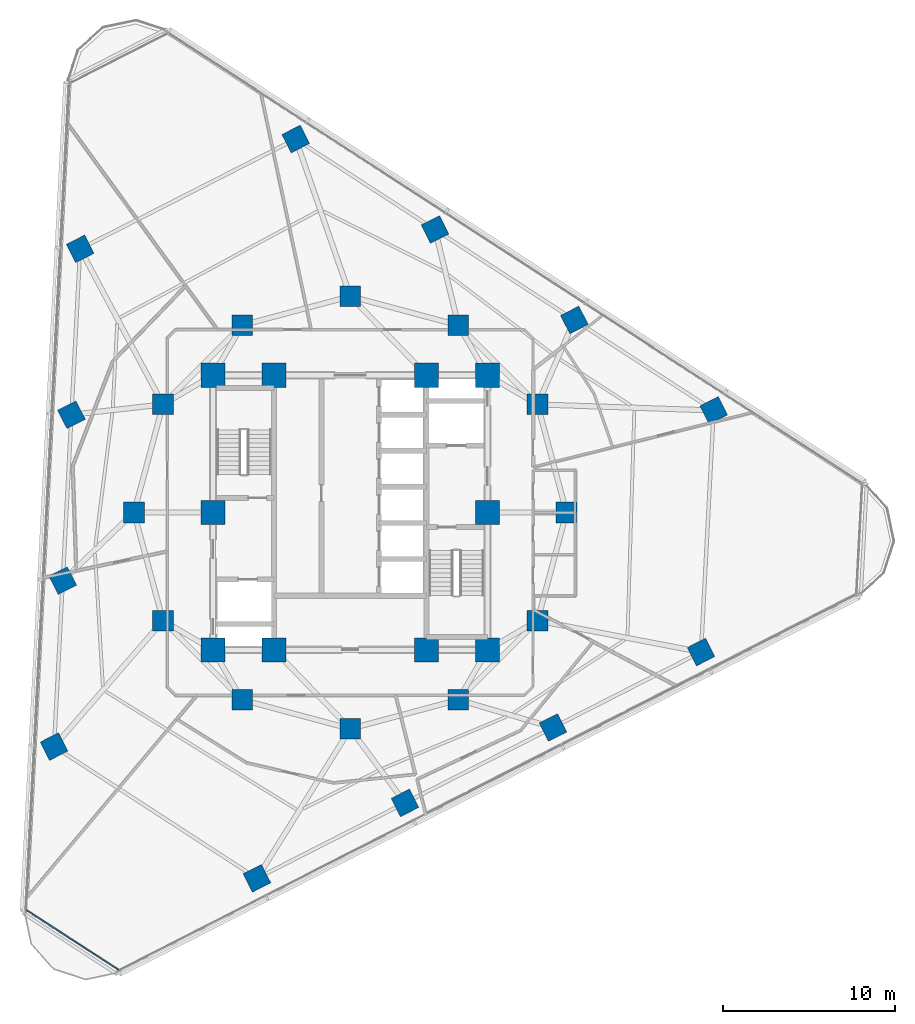
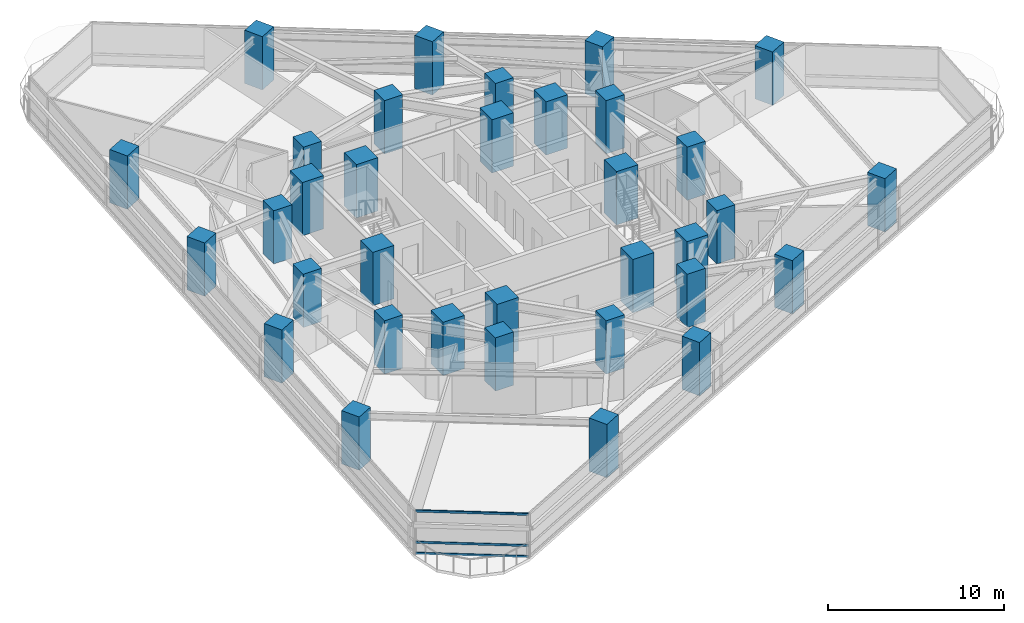
# One storey, part 1 of 14: 34 columns, 3 members, 1 element without a shape of its own.
"""IFC4 building model written with IfcOpenShell, lengths in metres."""

from ifc_helpers import new_model, si_unit, direction, frame, origin, origin_2d, place, context, subcontext, project, spatial, rectangle, extrude, material, layer, layer_set, material_profile, profile_set, type_object, element, aggregate, save


model = new_model("IFC4")

# Units and contexts
model_context = context("Model", 3, precision=1e-05, world=origin(), true_north=direction((0.0, 1.0)))
body_context = subcontext(model_context, "Body", "Model", "MODEL_VIEW")
ifc_project = project(units=[si_unit("LENGTHUNIT", "METRE"), si_unit("AREAUNIT", "SQUARE_METRE"), si_unit("VOLUMEUNIT", "CUBIC_METRE"), si_unit("PLANEANGLEUNIT", "RADIAN"), si_unit("MASSUNIT", "GRAM", prefix="KILO")], contexts=[model_context])

# Site, building, storey
site_placement = place(None, origin())
site = spatial("IfcSite", under=ifc_project, at=site_placement, CompositionType="ELEMENT")
building_placement = place(site_placement, origin())
building = spatial("IfcBuilding", under=site, at=building_placement, Name="Terralouvre Media Tower", CompositionType="ELEMENT")
storey_placement = place(building_placement, frame((0.0, 0.0, 119.89990234375)))
storey = spatial("IfcBuildingStorey", under=building, at=storey_placement, Name="L30", CompositionType="ELEMENT", Elevation=119.89990234375)

# Columns
ifc_material_1 = material(Name="Concrete C60/75", Category="concrete")
ifc_material_profile_1 = material_profile(ifc_material_1, rectangle(XDim=1.199951171875, YDim=1.199951171875, at=origin_2d()), Name="RC 1200x1200")
ifc_profile_set_1 = profile_set([ifc_material_profile_1], Name="Concrete C60/75")
column_type_1 = type_object("IfcColumnType", Name="Structural Column C-RC1200 (RC 1200x1200)", PredefinedType="COLUMN", material=ifc_profile_set_1)
for number, where, z_axis, x_axis, name in (
    (1, (12.60009765625, 0.0, 0.0), (0.0, 0.0, 1.0), (1.0, 0.0, 0.0), "L30 Mega-Frame Column MC01"),
    (2, (10.911865234375, 6.300048828125, 0.0), (0.0, 0.0, 1.0), (1.0, 0.0, 0.0), "L30 Mega-Frame Column MC02"),
    (3, (6.300048828125, 10.911865234375, 0.0), (0.0, 0.0, 1.0), (1.0, 0.0, 0.0), "L30 Mega-Frame Column MC03"),
    (4, (0.0, 12.60009765625, 0.0), (0.0, 0.0, 1.0), (1.0, 0.0, 0.0), "L30 Mega-Frame Column MC04"),
    (5, (-6.300048828125, 10.911865234375, 0.0), (0.0, 0.0, 1.0), (1.0, 0.0, 0.0), "L30 Mega-Frame Column MC05"),
    (6, (-10.911865234375, 6.300048828125, 0.0), (0.0, 0.0, 1.0), (1.0, 0.0, 0.0), "L30 Mega-Frame Column MC06"),
    (7, (-12.60009765625, 0.0, 0.0), (0.0, 0.0, 1.0), (1.0, 0.0, 0.0), "L30 Mega-Frame Column MC07"),
    (8, (-10.911865234375, -6.300048828125, 0.0), (0.0, 0.0, 1.0), (1.0, 0.0, 0.0), "L30 Mega-Frame Column MC08"),
    (9, (-6.300048828125, -10.911865234375, 0.0), (0.0, 0.0, 1.0), (1.0, 0.0, 0.0), "L30 Mega-Frame Column MC09"),
    (10, (0.0, -12.60009765625, 0.0), (0.0, 0.0, 1.0), (1.0, 0.0, 0.0), "L30 Mega-Frame Column MC10"),
    (11, (6.300048828125, -10.911865234375, 0.0), (0.0, 0.0, 1.0), (1.0, 0.0, 0.0), "L30 Mega-Frame Column MC11"),
    (12, (10.911865234375, -6.300048828125, 0.0), (0.0, 0.0, 1.0), (1.0, 0.0, 0.0), "L30 Mega-Frame Column MC12"),
    (13, (-5.4365234375, -21.31298828125, 0.0), (0.0, 0.0, 1.0), (0.891006524188, 0.45399049974, 0.0), "L30 Perimeter Mega-Column PC11"),
    (14, (3.188232421875, -16.91845703125, 0.0), (0.0, 0.0, 1.0), (0.891006524188, 0.45399049974, 0.0), "L30 Perimeter Mega-Column PC12"),
    (15, (11.813232421875, -12.523681640625, 0.0), (0.0, 0.0, 1.0), (0.891006524188, 0.45399049974, 0.0), "L30 Perimeter Mega-Column PC13"),
    (16, (20.438232421875, -8.129150390625, 0.0), (0.0, 0.0, 1.0), (0.891006524188, 0.45399049974, 0.0), "L30 Perimeter Mega-Column PC14"),
    (17, (21.176025390625, 5.9482421875, 0.0), (0.0, 0.0, 1.0), (0.891006524188, 0.45399049974, 0.0), "L30 Perimeter Mega-Column PC21"),
    (18, (13.0576171875, 11.220458984375, 0.0), (0.0, 0.0, 1.0), (0.891006524188, 0.45399049974, 0.0), "L30 Perimeter Mega-Column PC22"),
    (19, (4.939208984375, 16.492431640625, 0.0), (0.0, 0.0, 1.0), (0.891006524188, 0.45399049974, 0.0), "L30 Perimeter Mega-Column PC23"),
    (20, (-3.178955078125, 21.7646484375, 0.0), (0.0, 0.0, 1.0), (0.891006524188, 0.45399049974, 0.0), "L30 Perimeter Mega-Column PC24"),
    (21, (-15.7392578125, 15.36474609375, 0.0), (0.0, 0.0, 1.0), (0.891006524188, 0.45399049974, 0.0), "L30 Perimeter Mega-Column PC31"),
    (22, (-16.245849609375, 5.697998046875, 0.0), (0.0, 0.0, 1.0), (0.891006524188, 0.45399049974, 0.0), "L30 Perimeter Mega-Column PC32"),
    (23, (-16.75244140625, -3.96875, 0.0), (0.0, 0.0, 1.0), (0.891006524188, 0.45399049974, 0.0), "L30 Perimeter Mega-Column PC33"),
    (24, (-17.259033203125, -13.635498046875, 0.0), (0.0, 0.0, 1.0), (0.891006524188, 0.45399049974, 0.0), "L30 Perimeter Mega-Column PC34"),
):
    element("IfcColumn", number, at=place(storey_placement, frame(where, z_axis=z_axis, x_axis=x_axis)), inside=storey, type_object=column_type_1, Name=name, PredefinedType="COLUMN", context=body_context, shape_type="SweptSolid", body=[
        extrude(rectangle(XDim=1.199951171875, YDim=1.199951171875, at=origin_2d()), origin(), (0.0, 0.0, 1.0), 3.7001953125),
    ])
ifc_material_2 = material(Name="Concrete C60/75", Category="concrete")
ifc_material_profile_2 = material_profile(ifc_material_2, rectangle(XDim=1.39990234375, YDim=1.39990234375, at=origin_2d()), Name="RC 1400x1400")
ifc_profile_set_2 = profile_set([ifc_material_profile_2], Name="Concrete C60/75")
column_type_2 = type_object("IfcColumnType", Name="Structural Column C-RC1400 (RC 1400x1400)", PredefinedType="COLUMN", material=ifc_profile_set_2)
for number, where, z_axis, x_axis, name in (
    (25, (-8.0, -8.0, 0.0), (0.0, 0.0, 1.0), (1.0, 0.0, 0.0), "L30 Core Pilaster Column CP1"),
    (26, (-4.449951171875, -8.0, 0.0), (0.0, 0.0, 1.0), (1.0, 0.0, 0.0), "L30 Core Pilaster Column CP2"),
    (27, (4.449951171875, -8.0, 0.0), (0.0, 0.0, 1.0), (1.0, 0.0, 0.0), "L30 Core Pilaster Column CP10"),
    (28, (8.0, -8.0, 0.0), (0.0, 0.0, 1.0), (1.0, 0.0, 0.0), "L30 Core Pilaster Column CP3"),
    (29, (8.0, 0.0, 0.0), (0.0, 0.0, 1.0), (1.0, 0.0, 0.0), "L30 Core Pilaster Column CP4"),
    (30, (8.0, 8.0, 0.0), (0.0, 0.0, 1.0), (1.0, 0.0, 0.0), "L30 Core Pilaster Column CP5"),
    (31, (4.449951171875, 8.0, 0.0), (0.0, 0.0, 1.0), (1.0, 0.0, 0.0), "L30 Core Pilaster Column CP9"),
    (32, (-4.449951171875, 8.0, 0.0), (0.0, 0.0, 1.0), (1.0, 0.0, 0.0), "L30 Core Pilaster Column CP6"),
    (33, (-8.0, 8.0, 0.0), (0.0, 0.0, 1.0), (1.0, 0.0, 0.0), "L30 Core Pilaster Column CP7"),
    (34, (-8.0, 0.0, 0.0), (0.0, 0.0, 1.0), (1.0, 0.0, 0.0), "L30 Core Pilaster Column CP8"),
):
    element("IfcColumn", number, at=place(storey_placement, frame(where, z_axis=z_axis, x_axis=x_axis)), inside=storey, type_object=column_type_2, Name=name, PredefinedType="COLUMN", context=body_context, shape_type="SweptSolid", body=[
        extrude(rectangle(XDim=1.39990234375, YDim=1.39990234375, at=origin_2d()), origin(), (0.0, 0.0, 1.0), 3.7001953125),
    ])

# Curtain wall, members
ifc_material_3 = material(Name="Low-iron laminated double glazing with solar-control coating", Category="glass")
ifc_layer = layer(ifc_material_3, 0.1650390625, Name="Rounded Wind-Corner Curved Glazing CW-04")
ifc_layer_set = layer_set([ifc_layer], Name="Low-iron laminated double glazing with solar-control coating")
curtain_wall_type = type_object("IfcCurtainWallType", Name="Rounded Wind-Corner Curved Glazing CW-04", PredefinedType="NOTDEFINED", material=ifc_layer_set)
curtain_wall_placement = place(storey_placement, origin())
curtain_wall = element("IfcCurtainWall", 35, at=curtain_wall_placement, inside=storey, type_object=curtain_wall_type, Name="L30 Rounded Wind-Corner Curtain Wall C0", PredefinedType="NOTDEFINED")
ifc_material_4 = material(Name="Anodised extruded aluminium 6063-T6", Category="aluminium")
ifc_material_profile_3 = material_profile(ifc_material_4, rectangle(XDim=0.074951171875, YDim=0.14990234375, at=origin_2d()), Name="ALU 75x150")
ifc_profile_set_3 = profile_set([ifc_material_profile_3], Name="Anodised extruded aluminium 6063-T6")
member_type = type_object("IfcMemberType", Name="Curtain-Wall Horizontal Transom TR-150", PredefinedType="USERDEFINED", material=ifc_profile_set_3)
member_1_placement = place(storey_placement, frame((-18.875, -23.16015625, 0.03759765625), z_axis=(0.838682024338, -0.544621393311, 0.0), x_axis=(0.544621393311, 0.838682024338, 0.0)))
member_1 = element("IfcMember", 36, at=member_1_placement, type_object=member_type, Name="CW-04 transom 1.1", ObjectType="TRANSOM", PredefinedType="USERDEFINED", context=body_context, shape_type="SweptSolid", body=[
    extrude(rectangle(XDim=0.074951171875, YDim=0.14990234375, at=origin_2d()), origin(), (0.0, 0.0, 1.0), 6.431884765625),
])
member_2_placement = place(storey_placement, frame((-18.875, -23.16015625, 0.800048828125), z_axis=(0.838682024338, -0.544621393311, 0.0), x_axis=(0.544621393311, 0.838682024338, 0.0)))
member_2 = element("IfcMember", 37, at=member_2_placement, type_object=member_type, Name="CW-04 transom 1.2", ObjectType="TRANSOM", PredefinedType="USERDEFINED", context=body_context, shape_type="SweptSolid", body=[
    extrude(rectangle(XDim=0.074951171875, YDim=0.14990234375, at=origin_2d()), origin(), (0.0, 0.0, 1.0), 6.431884765625),
])
member_3_placement = place(storey_placement, frame((-18.875, -23.16015625, 2.962646484375), z_axis=(0.838682024338, -0.544621393311, 0.0), x_axis=(0.544621393311, 0.838682024338, 0.0)))
member_3 = element("IfcMember", 38, at=member_3_placement, type_object=member_type, Name="CW-04 transom 1.3", ObjectType="TRANSOM", PredefinedType="USERDEFINED", context=body_context, shape_type="SweptSolid", body=[
    extrude(rectangle(XDim=0.074951171875, YDim=0.14990234375, at=origin_2d()), origin(), (0.0, 0.0, 1.0), 6.431884765625),
])
aggregate(curtain_wall, [member_1, member_2, member_3])

save(model, "model.ifc")
